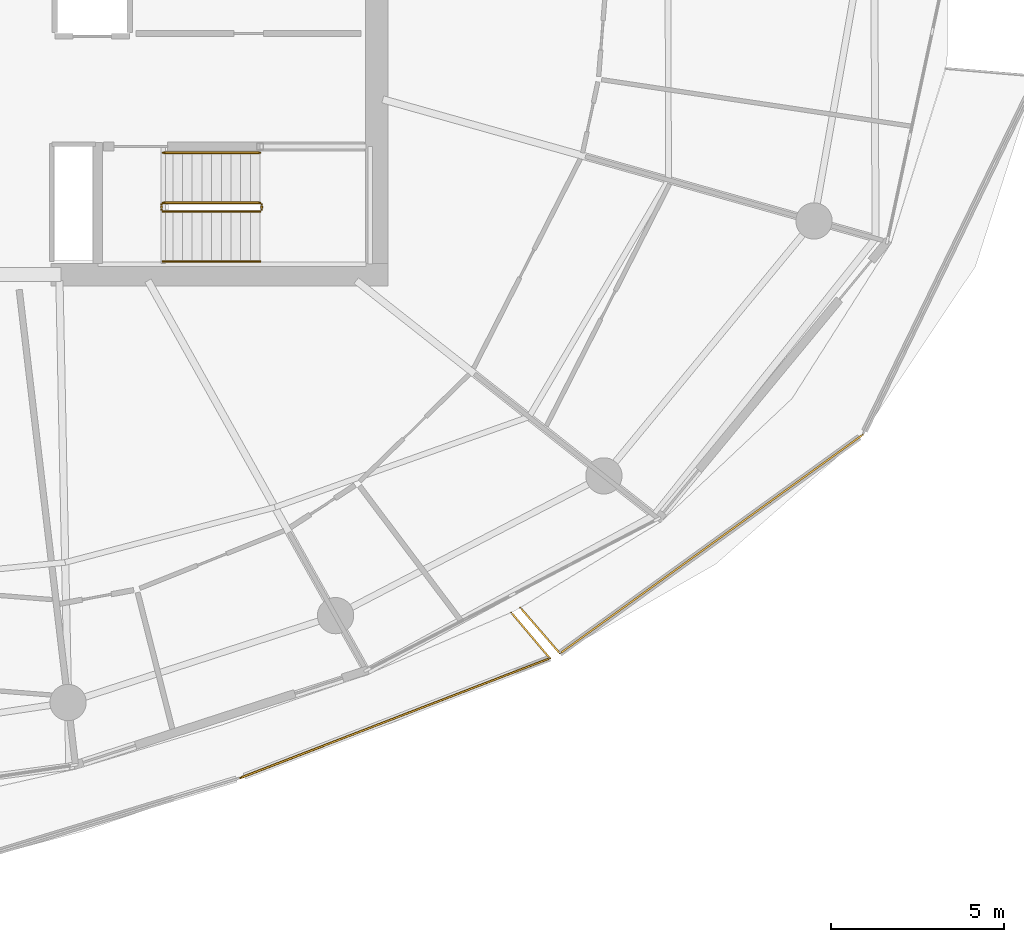
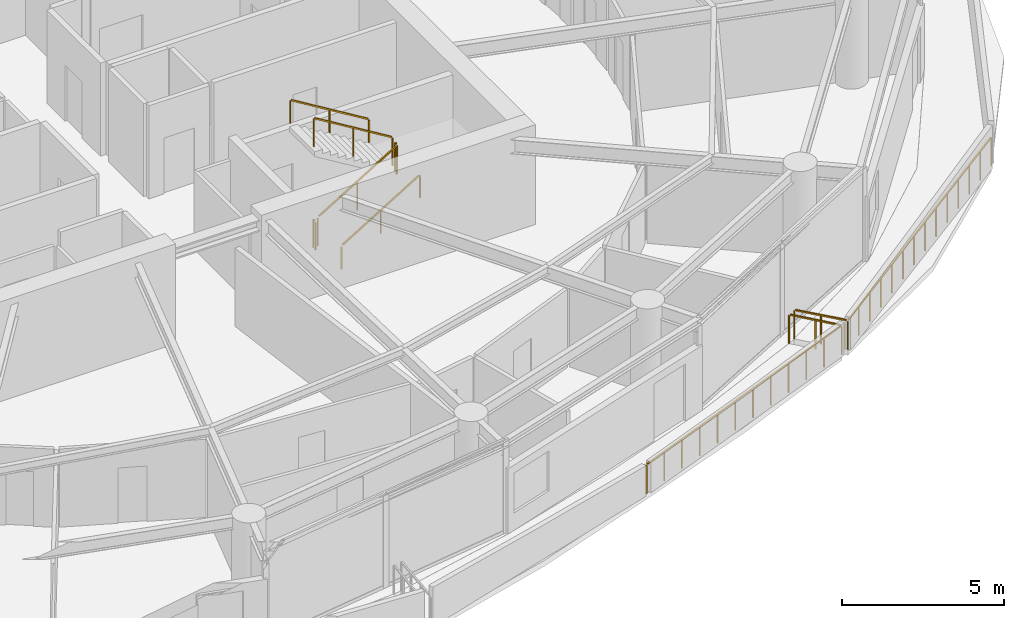
# One storey, part 18 of 20: 10 railings.
"""IFC4 building model written with IfcOpenShell, lengths in metres."""

from ifc_helpers import new_model, si_unit, direction, frame, origin, origin_2d, place, context, subcontext, project, spatial, rectangle, extrude, material, type_object, element, save


model = new_model("IFC4")

# Units and contexts
model_context = context("Model", 3, precision=1e-05, world=origin(), true_north=direction((0.0, 1.0)))
body_context = subcontext(model_context, "Body", "Model", "MODEL_VIEW")
ifc_project = project(units=[si_unit("LENGTHUNIT", "METRE"), si_unit("AREAUNIT", "SQUARE_METRE"), si_unit("VOLUMEUNIT", "CUBIC_METRE"), si_unit("PLANEANGLEUNIT", "RADIAN"), si_unit("MASSUNIT", "GRAM", prefix="KILO")], contexts=[model_context])

# Site, building, storey
site_placement = place(None, origin())
site = spatial("IfcSite", under=ifc_project, at=site_placement, CompositionType="ELEMENT")
building_placement = place(site_placement, origin())
building = spatial("IfcBuilding", under=site, at=building_placement, Name="Kazma Halo Residences", CompositionType="ELEMENT")
storey_placement = place(building_placement, frame((0.0, 0.0, 210.300048828125)))
storey = spatial("IfcBuildingStorey", under=building, at=storey_placement, Name="L53", CompositionType="ELEMENT", Elevation=210.300048828125)

# Railings
ifc_material_1 = material(Name="Aluminium AW-6063 T6 Brushed Cap Rail", Category="aluminium")
railing_type_1 = type_object("IfcRailingType", Name="RLG-BAL-CAP-1120", PredefinedType="BALUSTRADE", material=ifc_material_1)
railing_1_placement = place(storey_placement, frame((55.43310546875, 19.123046875, 0.0)))
element("IfcRailing", 1, at=railing_1_placement, inside=storey, type_object=railing_type_1, Name="L53 SSE wave balcony guard 3", PredefinedType="BALUSTRADE", context=body_context, shape_type="SweptSolid", body=[
    extrude(rectangle(XDim=0.050048828125, YDim=0.050048828125, at=origin_2d()), frame((0.039794921875, 0.015380859375, 1.09521484375), z_axis=(0.932736868059, 0.360557810849, 0.0), x_axis=(-0.360557810849, 0.932736868059, 0.0)), (0.0, 0.0, 1.0), 9.507568359375),
    extrude(rectangle(XDim=0.0400390625, YDim=0.0400390625, at=origin_2d()), origin(), (0.0, 0.0, 1.0), 1.05810546875),
    extrude(rectangle(XDim=0.0400390625, YDim=0.0400390625, at=origin_2d()), frame((0.8134765625, 0.314453125, 0.0)), (0.0, 0.0, 1.0), 1.05810546875),
    extrude(rectangle(XDim=0.0400390625, YDim=0.0400390625, at=origin_2d()), frame((1.626708984375, 0.62890625, 0.0)), (0.0, 0.0, 1.0), 1.05810546875),
    extrude(rectangle(XDim=0.0400390625, YDim=0.0400390625, at=origin_2d()), frame((2.440185546875, 0.943359375, 0.0)), (0.0, 0.0, 1.0), 1.05810546875),
    extrude(rectangle(XDim=0.0400390625, YDim=0.0400390625, at=origin_2d()), frame((3.253662109375, 1.2578125, 0.0)), (0.0, 0.0, 1.0), 1.05810546875),
    extrude(rectangle(XDim=0.0400390625, YDim=0.0400390625, at=origin_2d()), frame((4.067138671875, 1.572265625, 0.0)), (0.0, 0.0, 1.0), 1.05810546875),
    extrude(rectangle(XDim=0.0400390625, YDim=0.0400390625, at=origin_2d()), frame((4.88037109375, 1.886474609375, 0.0)), (0.0, 0.0, 1.0), 1.05810546875),
    extrude(rectangle(XDim=0.0400390625, YDim=0.0400390625, at=origin_2d()), frame((5.69384765625, 2.200927734375, 0.0)), (0.0, 0.0, 1.0), 1.05810546875),
    extrude(rectangle(XDim=0.0400390625, YDim=0.0400390625, at=origin_2d()), frame((6.50732421875, 2.515380859375, 0.0)), (0.0, 0.0, 1.0), 1.05810546875),
    extrude(rectangle(XDim=0.0400390625, YDim=0.0400390625, at=origin_2d()), frame((7.32080078125, 2.829833984375, 0.0)), (0.0, 0.0, 1.0), 1.05810546875),
    extrude(rectangle(XDim=0.0400390625, YDim=0.0400390625, at=origin_2d()), frame((8.134033203125, 3.144287109375, 0.0)), (0.0, 0.0, 1.0), 1.05810546875),
    extrude(rectangle(XDim=0.0400390625, YDim=0.0400390625, at=origin_2d()), frame((8.947509765625, 3.458740234375, 0.0)), (0.0, 0.0, 1.0), 1.05810546875),
])
railing_2_placement = place(storey_placement, frame((64.380615234375, 22.581787109375, 0.0)))
element("IfcRailing", 2, at=railing_2_placement, inside=storey, type_object=railing_type_1, Name="L53 SSE wave balcony guard 4", PredefinedType="BALUSTRADE", context=body_context, shape_type="SweptSolid", body=[
    extrude(rectangle(XDim=0.050048828125, YDim=0.050048828125, at=origin_2d()), frame((-0.02734375, 0.032470703125, 1.09521484375), z_axis=(-0.644752463014, 0.76439143208, 0.0), x_axis=(-0.76439143208, -0.644752463014, 0.0)), (0.0, 0.0, 1.0), 1.645263671875),
    extrude(rectangle(XDim=0.0400390625, YDim=0.0400390625, at=origin_2d()), origin(), (0.0, 0.0, 1.0), 1.05810546875),
    extrude(rectangle(XDim=0.0400390625, YDim=0.0400390625, at=origin_2d()), frame((-0.557861328125, 0.661376953125, 0.0)), (0.0, 0.0, 1.0), 1.05810546875),
    extrude(rectangle(XDim=0.0400390625, YDim=0.0400390625, at=origin_2d()), frame((-1.11572265625, 1.32275390625, 0.0)), (0.0, 0.0, 1.0), 1.05810546875),
])
railing_3_placement = place(storey_placement, frame((63.528564453125, 24.041748046875, 0.0)))
element("IfcRailing", 3, at=railing_3_placement, inside=storey, type_object=railing_type_1, Name="L53 SE wave balcony guard 1", PredefinedType="BALUSTRADE", context=body_context, shape_type="SweptSolid", body=[
    extrude(rectangle(XDim=0.050048828125, YDim=0.050048828125, at=origin_2d()), frame((0.02783203125, -0.0322265625, 1.09521484375), z_axis=(0.654074202521, -0.756430391772, 0.0), x_axis=(0.756430391772, 0.654074202521, 0.0)), (0.0, 0.0, 1.0), 1.663330078125),
    extrude(rectangle(XDim=0.0400390625, YDim=0.0400390625, at=origin_2d()), origin(), (0.0, 0.0, 1.0), 1.05810546875),
    extrude(rectangle(XDim=0.0400390625, YDim=0.0400390625, at=origin_2d()), frame((0.57177734375, -0.6611328125, 0.0)), (0.0, 0.0, 1.0), 1.05810546875),
    extrude(rectangle(XDim=0.0400390625, YDim=0.0400390625, at=origin_2d()), frame((1.1435546875, -1.322509765625, 0.0)), (0.0, 0.0, 1.0), 1.05810546875),
])
railing_4_placement = place(storey_placement, frame((64.672119140625, 22.71923828125, 0.0)))
element("IfcRailing", 4, at=railing_4_placement, inside=storey, type_object=railing_type_1, Name="L53 SE wave balcony guard 2", PredefinedType="BALUSTRADE", context=body_context, shape_type="SweptSolid", body=[
    extrude(rectangle(XDim=0.050048828125, YDim=0.050048828125, at=origin_2d()), frame((0.034423828125, 0.02490234375, 1.09521484375), z_axis=(0.810678632394, 0.585491379082, 0.0), x_axis=(-0.585491379082, 0.810678632394, 0.0)), (0.0, 0.0, 1.0), 10.716552734375),
    extrude(rectangle(XDim=0.0400390625, YDim=0.0400390625, at=origin_2d()), origin(), (0.0, 0.0, 1.0), 1.05810546875),
    extrude(rectangle(XDim=0.0400390625, YDim=0.0400390625, at=origin_2d()), frame((0.673583984375, 0.486572265625, 0.0)), (0.0, 0.0, 1.0), 1.05810546875),
    extrude(rectangle(XDim=0.0400390625, YDim=0.0400390625, at=origin_2d()), frame((1.34716796875, 0.972900390625, 0.0)), (0.0, 0.0, 1.0), 1.05810546875),
    extrude(rectangle(XDim=0.0400390625, YDim=0.0400390625, at=origin_2d()), frame((2.020751953125, 1.45947265625, 0.0)), (0.0, 0.0, 1.0), 1.05810546875),
    extrude(rectangle(XDim=0.0400390625, YDim=0.0400390625, at=origin_2d()), frame((2.6943359375, 1.94580078125, 0.0)), (0.0, 0.0, 1.0), 1.05810546875),
    extrude(rectangle(XDim=0.0400390625, YDim=0.0400390625, at=origin_2d()), frame((3.367919921875, 2.432373046875, 0.0)), (0.0, 0.0, 1.0), 1.05810546875),
    extrude(rectangle(XDim=0.0400390625, YDim=0.0400390625, at=origin_2d()), frame((4.04150390625, 2.9189453125, 0.0)), (0.0, 0.0, 1.0), 1.05810546875),
    extrude(rectangle(XDim=0.0400390625, YDim=0.0400390625, at=origin_2d()), frame((4.715087890625, 3.4052734375, 0.0)), (0.0, 0.0, 1.0), 1.05810546875),
    extrude(rectangle(XDim=0.0400390625, YDim=0.0400390625, at=origin_2d()), frame((5.388671875, 3.891845703125, 0.0)), (0.0, 0.0, 1.0), 1.05810546875),
    extrude(rectangle(XDim=0.0400390625, YDim=0.0400390625, at=origin_2d()), frame((6.062255859375, 4.37841796875, 0.0)), (0.0, 0.0, 1.0), 1.05810546875),
    extrude(rectangle(XDim=0.0400390625, YDim=0.0400390625, at=origin_2d()), frame((6.73583984375, 4.86474609375, 0.0)), (0.0, 0.0, 1.0), 1.05810546875),
    extrude(rectangle(XDim=0.0400390625, YDim=0.0400390625, at=origin_2d()), frame((7.409423828125, 5.351318359375, 0.0)), (0.0, 0.0, 1.0), 1.05810546875),
    extrude(rectangle(XDim=0.0400390625, YDim=0.0400390625, at=origin_2d()), frame((8.0830078125, 5.837646484375, 0.0)), (0.0, 0.0, 1.0), 1.05810546875),
    extrude(rectangle(XDim=0.0400390625, YDim=0.0400390625, at=origin_2d()), frame((8.756591796875, 6.32421875, 0.0)), (0.0, 0.0, 1.0), 1.05810546875),
])
ifc_material_2 = material(Name="Painted Steel S355", Category="steel")
railing_type_2 = type_object("IfcRailingType", Name="RLG-STAIR-GRD-1100", PredefinedType="GUARDRAIL", material=ifc_material_2)
railing_5_placement = place(storey_placement, frame((53.199951171875, 35.5, 0.17041015625)))
element("IfcRailing", 5, at=railing_5_placement, inside=storey, type_object=railing_type_2, Name="L53 ST-03 stair guard 1", PredefinedType="GUARDRAIL", context=body_context, shape_type="SweptSolid", body=[
    extrude(rectangle(XDim=0.050048828125, YDim=0.050048828125, at=origin_2d()), frame((0.036376953125, 0.0, 1.09716796875), z_axis=(0.854169791009, 0.0, 0.51999420009), x_axis=(0.0, 1.0, 0.0)), (0.0, 0.0, 1.0), 3.193115234375),
    extrude(rectangle(XDim=0.0400390625, YDim=0.0400390625, at=origin_2d()), origin(), (0.0, 0.0, 1.0), 1.0380859375),
    extrude(rectangle(XDim=0.0400390625, YDim=0.0400390625, at=origin_2d()), frame((1.39990234375, 0.0, 0.852294921875)), (0.0, 0.0, 1.0), 1.0380859375),
    extrude(rectangle(XDim=0.0400390625, YDim=0.0400390625, at=origin_2d()), frame((2.800048828125, 0.0, 1.70458984375)), (0.0, 0.0, 1.0), 1.0380859375),
])
railing_6_placement = place(storey_placement, frame((56.050048828125, 35.550048828125, 1.875)))
element("IfcRailing", 6, at=railing_6_placement, inside=storey, type_object=railing_type_2, Name="L53 ST-03 stair guard 2", PredefinedType="GUARDRAIL", context=body_context, shape_type="SweptSolid", body=[
    extrude(rectangle(XDim=0.050048828125, YDim=0.050048828125, at=origin_2d()), frame((0.0, 0.04248046875, 1.0751953125), z_axis=(0.0, 1.0, 0.0), x_axis=(-1.0, 0.0, 0.0)), (0.0, 0.0, 1.0), 0.06494140625),
    extrude(rectangle(XDim=0.0400390625, YDim=0.0400390625, at=origin_2d()), origin(), (0.0, 0.0, 1.0), 1.0380859375),
    extrude(rectangle(XDim=0.0400390625, YDim=0.0400390625, at=origin_2d()), frame((0.0, 0.14990234375, 0.0)), (0.0, 0.0, 1.0), 1.0380859375),
])
railing_7_placement = place(storey_placement, frame((56.0, 35.75, 2.04541015625)))
element("IfcRailing", 7, at=railing_7_placement, inside=storey, type_object=railing_type_2, Name="L53 ST-03 stair guard 3", PredefinedType="GUARDRAIL", context=body_context, shape_type="SweptSolid", body=[
    extrude(rectangle(XDim=0.050048828125, YDim=0.050048828125, at=origin_2d()), frame((-0.036376953125, 0.0, 1.09716796875), z_axis=(-0.854169791009, 0.0, 0.51999420009), x_axis=(0.0, -1.0, 0.0)), (0.0, 0.0, 1.0), 3.193115234375),
    extrude(rectangle(XDim=0.0400390625, YDim=0.0400390625, at=origin_2d()), origin(), (0.0, 0.0, 1.0), 1.0380859375),
    extrude(rectangle(XDim=0.0400390625, YDim=0.0400390625, at=origin_2d()), frame((-1.39990234375, 0.0, 0.852294921875)), (0.0, 0.0, 1.0), 1.0380859375),
    extrude(rectangle(XDim=0.0400390625, YDim=0.0400390625, at=origin_2d()), frame((-2.800048828125, 0.0, 1.70458984375)), (0.0, 0.0, 1.0), 1.0380859375),
])
railing_8_placement = place(storey_placement, frame((53.14990234375, 35.550048828125, 0.0)))
element("IfcRailing", 8, at=railing_8_placement, inside=storey, type_object=railing_type_2, Name="L53 ST-03 stair guard 4", PredefinedType="GUARDRAIL", context=body_context, shape_type="SweptSolid", body=[
    extrude(rectangle(XDim=0.050048828125, YDim=0.050048828125, at=origin_2d()), frame((0.0, 0.04248046875, 1.0751953125), z_axis=(0.0, 1.0, 0.0), x_axis=(-1.0, 0.0, 0.0)), (0.0, 0.0, 1.0), 0.06494140625),
    extrude(rectangle(XDim=0.0400390625, YDim=0.0400390625, at=origin_2d()), origin(), (0.0, 0.0, 1.0), 1.0380859375),
    extrude(rectangle(XDim=0.0400390625, YDim=0.0400390625, at=origin_2d()), frame((0.0, 0.14990234375, 0.0)), (0.0, 0.0, 1.0), 1.0380859375),
])
ifc_material_3 = material(Name="Brushed Stainless Steel", Category="steel")
railing_type_3 = type_object("IfcRailingType", Name="RLG-STAIR-HND-900", PredefinedType="HANDRAIL", material=ifc_material_3)
railing_9_placement = place(storey_placement, frame((53.199951171875, 34.050048828125, 0.17041015625)))
element("IfcRailing", 9, at=railing_9_placement, inside=storey, type_object=railing_type_3, Name="L53 ST-03 stair handrail 1", PredefinedType="HANDRAIL", context=body_context, shape_type="SweptSolid", body=[
    extrude(rectangle(XDim=0.050048828125, YDim=0.050048828125, at=origin_2d()), frame((0.036376953125, 0.0, 0.89697265625), z_axis=(0.854169791009, 0.0, 0.51999420009), x_axis=(0.0, 1.0, 0.0)), (0.0, 0.0, 1.0), 3.193115234375),
    extrude(rectangle(XDim=0.0400390625, YDim=0.0400390625, at=origin_2d()), origin(), (0.0, 0.0, 1.0), 0.837890625),
    extrude(rectangle(XDim=0.0400390625, YDim=0.0400390625, at=origin_2d()), frame((1.39990234375, 0.0, 0.852294921875)), (0.0, 0.0, 1.0), 0.837890625),
    extrude(rectangle(XDim=0.0400390625, YDim=0.0400390625, at=origin_2d()), frame((2.800048828125, 0.0, 1.70458984375)), (0.0, 0.0, 1.0), 0.837890625),
])
railing_10_placement = place(storey_placement, frame((56.0, 37.199951171875, 2.04541015625)))
element("IfcRailing", 10, at=railing_10_placement, inside=storey, type_object=railing_type_3, Name="L53 ST-03 stair handrail 2", PredefinedType="HANDRAIL", context=body_context, shape_type="SweptSolid", body=[
    extrude(rectangle(XDim=0.050048828125, YDim=0.050048828125, at=origin_2d()), frame((-0.036376953125, 0.0, 0.89697265625), z_axis=(-0.854169791009, 0.0, 0.51999420009), x_axis=(0.0, -1.0, 0.0)), (0.0, 0.0, 1.0), 3.193115234375),
    extrude(rectangle(XDim=0.0400390625, YDim=0.0400390625, at=origin_2d()), origin(), (0.0, 0.0, 1.0), 0.837890625),
    extrude(rectangle(XDim=0.0400390625, YDim=0.0400390625, at=origin_2d()), frame((-1.39990234375, 0.0, 0.852294921875)), (0.0, 0.0, 1.0), 0.837890625),
    extrude(rectangle(XDim=0.0400390625, YDim=0.0400390625, at=origin_2d()), frame((-2.800048828125, 0.0, 1.70458984375)), (0.0, 0.0, 1.0), 0.837890625),
])

save(model, "model.ifc")
